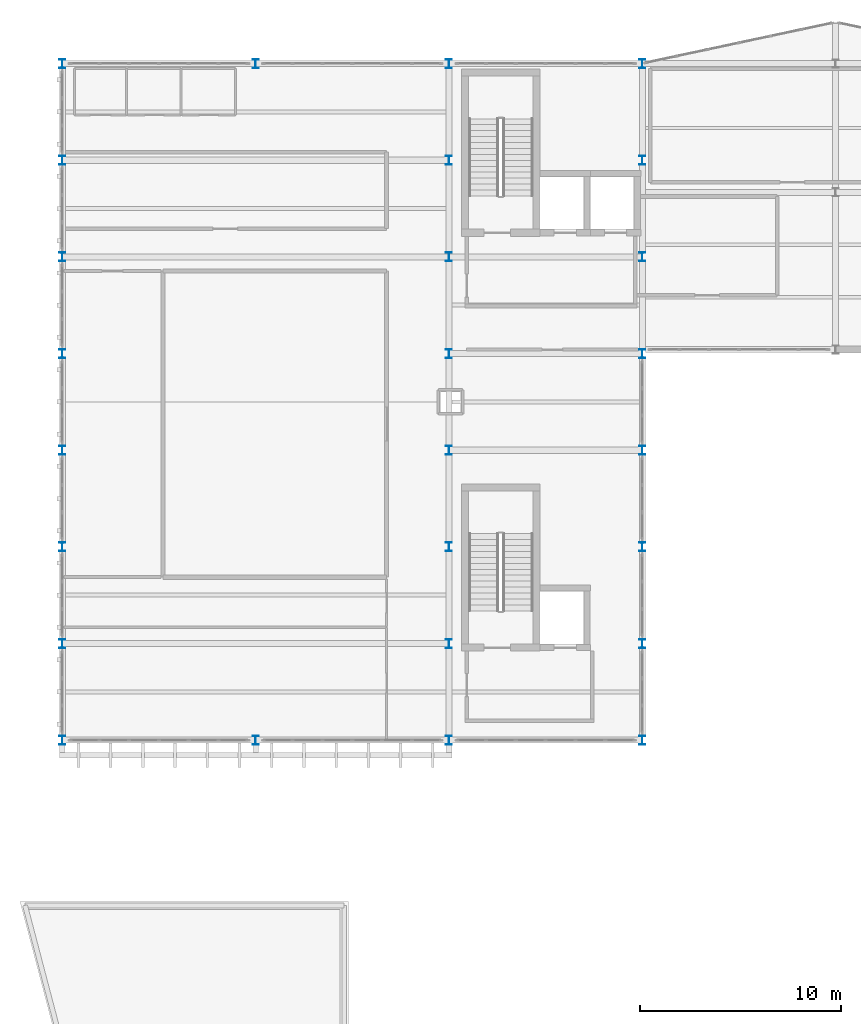
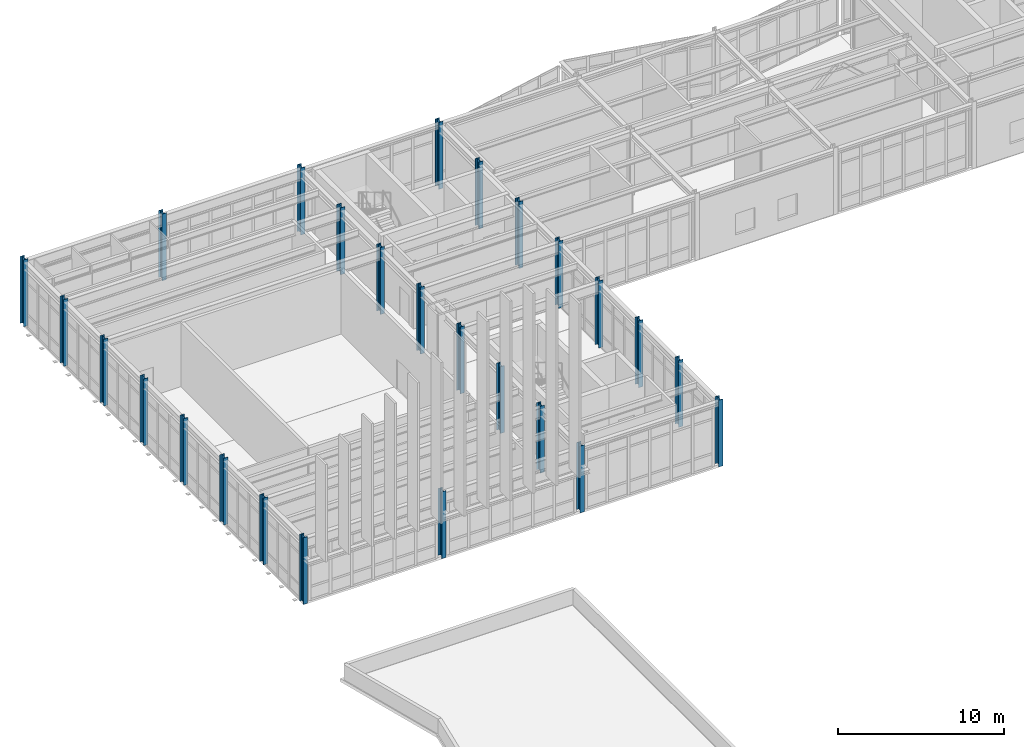
# One storey, part 1 of 28: 26 columns.
"""IFC4 building model written with IfcOpenShell, lengths in metres."""

from ifc_helpers import new_model, si_unit, direction, frame, origin, origin_2d, place, context, subcontext, project, spatial, i_section, extrude, material, material_profile, profile_set, type_object, element, save


model = new_model("IFC4")

# Units and contexts
model_context = context("Model", 3, precision=1e-05, world=origin(), true_north=direction((0.0, 1.0)))
body_context = subcontext(model_context, "Body", "Model", "MODEL_VIEW")
ifc_project = project(units=[si_unit("LENGTHUNIT", "METRE"), si_unit("AREAUNIT", "SQUARE_METRE"), si_unit("VOLUMEUNIT", "CUBIC_METRE"), si_unit("PLANEANGLEUNIT", "RADIAN"), si_unit("MASSUNIT", "GRAM", prefix="KILO")], contexts=[model_context])

# Site, building, storey
site_placement = place(None, origin())
site = spatial("IfcSite", under=ifc_project, at=site_placement, CompositionType="ELEMENT")
building_placement = place(site_placement, origin())
building = spatial("IfcBuilding", under=site, at=building_placement, Name="Nordkorset Police Headquarters", CompositionType="ELEMENT")
storey_placement = place(building_placement, frame((0.0, 0.0, 26.25)))
storey = spatial("IfcBuildingStorey", under=building, at=storey_placement, Name="L06", CompositionType="ELEMENT", Elevation=26.25)

# Columns
ifc_material = material(Name="Steel S355J2", Category="steel")
ifc_material_profile = material_profile(ifc_material, i_section(OverallWidth=0.300048828125, OverallDepth=0.449951171875, WebThickness=0.013916015625, FlangeThickness=0.02587890625, FilletRadius=0.027099609375, at=origin_2d()), Name="HEB 450")
ifc_profile_set = profile_set([ifc_material_profile], Name="Steel S355J2")
column_type = type_object("IfcColumnType", Name="Col_HEB_450", PredefinedType="COLUMN", material=ifc_profile_set)
for number, where, z_axis, x_axis, name in (
    (1, (0.0, 83.199951171875, 0.0), (0.0, 0.0, 1.0), (1.0, 0.0, 0.0), "Structural Column V1_W_0 L06"),
    (2, (28.800048828125, 83.199951171875, 0.0), (0.0, 0.0, 1.0), (1.0, 0.0, 0.0), "Structural Column V1_E_0 L06"),
    (3, (0.0, 88.0, 0.0), (0.0, 0.0, 1.0), (1.0, 0.0, 0.0), "Structural Column V1_W_1 L06"),
    (4, (28.800048828125, 88.0, 0.0), (0.0, 0.0, 1.0), (1.0, 0.0, 0.0), "Structural Column V1_E_1 L06"),
    (5, (0.0, 92.800048828125, 0.0), (0.0, 0.0, 1.0), (1.0, 0.0, 0.0), "Structural Column V1_W_2 L06"),
    (6, (28.800048828125, 92.800048828125, 0.0), (0.0, 0.0, 1.0), (1.0, 0.0, 0.0), "Structural Column V1_E_2 L06"),
    (7, (0.0, 97.60009765625, 0.0), (0.0, 0.0, 1.0), (1.0, 0.0, 0.0), "Structural Column V1_W_3 L06"),
    (8, (28.800048828125, 97.60009765625, 0.0), (0.0, 0.0, 1.0), (1.0, 0.0, 0.0), "Structural Column V1_E_3 L06"),
    (9, (0.0, 102.39990234375, 0.0), (0.0, 0.0, 1.0), (1.0, 0.0, 0.0), "Structural Column V1_W_4 L06"),
    (10, (28.800048828125, 102.39990234375, 0.0), (0.0, 0.0, 1.0), (1.0, 0.0, 0.0), "Structural Column V1_E_4 L06"),
    (11, (0.0, 107.199951171875, 0.0), (0.0, 0.0, 1.0), (1.0, 0.0, 0.0), "Structural Column V1_W_5 L06"),
    (12, (28.800048828125, 107.199951171875, 0.0), (0.0, 0.0, 1.0), (1.0, 0.0, 0.0), "Structural Column V1_E_5 L06"),
    (13, (0.0, 112.0, 0.0), (0.0, 0.0, 1.0), (1.0, 0.0, 0.0), "Structural Column V1_W_6 L06"),
    (14, (28.800048828125, 112.0, 0.0), (0.0, 0.0, 1.0), (1.0, 0.0, 0.0), "Structural Column V1_E_6 L06"),
    (15, (0.0, 116.800048828125, 0.0), (0.0, 0.0, 1.0), (1.0, 0.0, 0.0), "Structural Column V1_W_7 L06"),
    (16, (28.800048828125, 116.800048828125, 0.0), (0.0, 0.0, 1.0), (1.0, 0.0, 0.0), "Structural Column V1_E_7 L06"),
    (17, (9.60009765625, 83.199951171875, 0.0), (0.0, 0.0, 1.0), (1.0, 0.0, 0.0), "Structural Column V1_S_0 L06"),
    (18, (9.60009765625, 116.800048828125, 0.0), (0.0, 0.0, 1.0), (1.0, 0.0, 0.0), "Structural Column V1_N_0 L06"),
    (19, (19.199951171875, 83.199951171875, 0.0), (0.0, 0.0, 1.0), (1.0, 0.0, 0.0), "Structural Column V1_S_1 L06"),
    (20, (19.199951171875, 116.800048828125, 0.0), (0.0, 0.0, 1.0), (1.0, 0.0, 0.0), "Structural Column V1_N_1 L06"),
    (21, (19.199951171875, 88.0, 0.0), (0.0, 0.0, 1.0), (1.0, 0.0, 0.0), "Structural Column V1_CW_0 L06"),
    (22, (19.199951171875, 92.800048828125, 0.0), (0.0, 0.0, 1.0), (1.0, 0.0, 0.0), "Structural Column V1_CW_1 L06"),
    (23, (19.199951171875, 97.60009765625, 0.0), (0.0, 0.0, 1.0), (1.0, 0.0, 0.0), "Structural Column V1_CW_2 L06"),
    (24, (19.199951171875, 102.39990234375, 0.0), (0.0, 0.0, 1.0), (1.0, 0.0, 0.0), "Structural Column V1_CW_3 L06"),
    (25, (19.199951171875, 107.199951171875, 0.0), (0.0, 0.0, 1.0), (1.0, 0.0, 0.0), "Structural Column V1_CW_4 L06"),
    (26, (19.199951171875, 112.0, 0.0), (0.0, 0.0, 1.0), (1.0, 0.0, 0.0), "Structural Column V1_CW_5 L06"),
):
    element("IfcColumn", number, at=place(storey_placement, frame(where, z_axis=z_axis, x_axis=x_axis)), inside=storey, type_object=column_type, Name=name, PredefinedType="COLUMN", context=body_context, shape_type="SweptSolid", body=[
        extrude(i_section(OverallWidth=0.300048828125, OverallDepth=0.449951171875, WebThickness=0.013916015625, FlangeThickness=0.02587890625, FilletRadius=0.027099609375, at=origin_2d()), origin(), (0.0, 0.0, 1.0), 4.89990234375),
    ])

save(model, "model.ifc")
